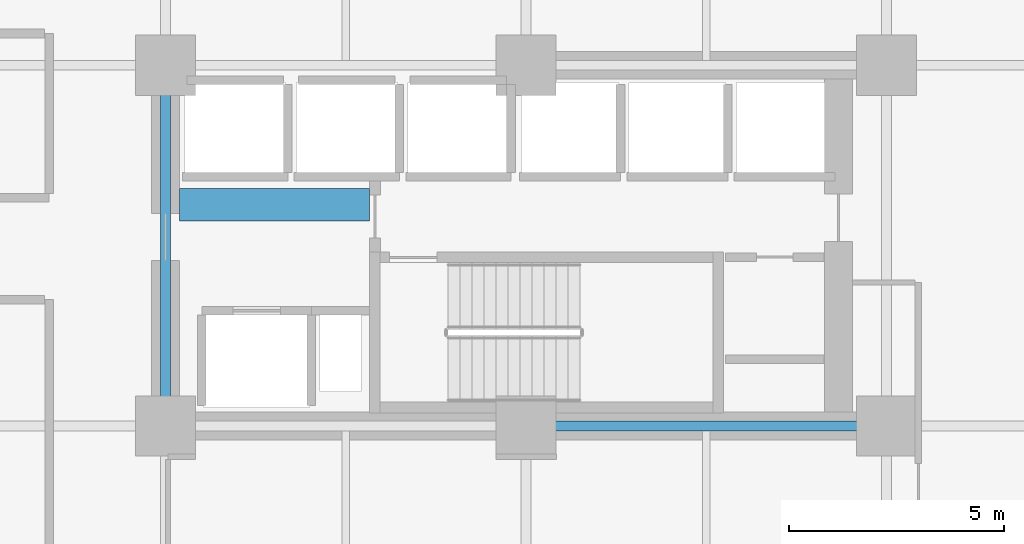
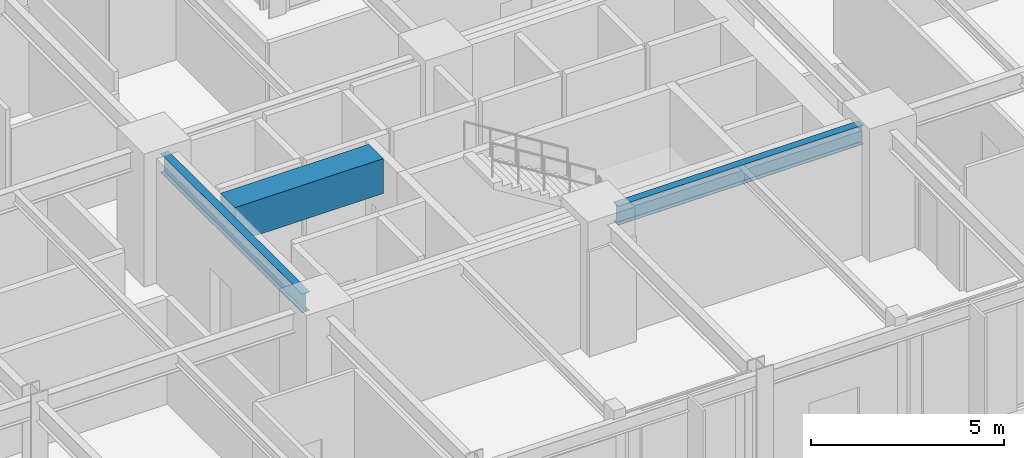
# One storey, part 7 of 30: 3 beams.
"""IFC4 building model written with IfcOpenShell, lengths in metres."""

from ifc_helpers import new_model, si_unit, direction, frame, origin, origin_2d, place, context, subcontext, project, spatial, rectangle, i_section, extrude, material, material_profile, profile_set, type_object, element, save


model = new_model("IFC4")

# Units and contexts
model_context = context("Model", 3, precision=1e-05, world=origin(), true_north=direction((0.0, 1.0)))
body_context = subcontext(model_context, "Body", "Model", "MODEL_VIEW")
ifc_project = project(units=[si_unit("LENGTHUNIT", "METRE"), si_unit("AREAUNIT", "SQUARE_METRE"), si_unit("VOLUMEUNIT", "CUBIC_METRE"), si_unit("PLANEANGLEUNIT", "RADIAN"), si_unit("MASSUNIT", "GRAM", prefix="KILO")], contexts=[model_context])

# Site, building, storey
site_placement = place(None, origin())
site = spatial("IfcSite", under=ifc_project, at=site_placement, CompositionType="ELEMENT")
building_placement = place(site_placement, origin())
building = spatial("IfcBuilding", under=site, at=building_placement, Name="Nerrivon Quay Data Exchange", CompositionType="ELEMENT")
storey_placement = place(building_placement, frame((0.0, 0.0, 62.60009765625)))
storey = spatial("IfcBuildingStorey", under=building, at=storey_placement, Name="L14", CompositionType="ELEMENT", Elevation=62.60009765625)

# Beams
ifc_material_1 = material(Name="Concrete S65 (65 MPa)", Category="concrete")
ifc_material_profile_1 = material_profile(ifc_material_1, rectangle(XDim=0.75, YDim=1.10009765625, at=origin_2d()), Name="RC-CB-750x1100")
ifc_profile_set_1 = profile_set([ifc_material_profile_1], Name="Concrete S65 (65 MPa)")
beam_type_1 = type_object("IfcBeamType", Name="BM-CB1-750x1100", PredefinedType="LINTEL", material=ifc_profile_set_1)
beam_1_placement = place(storey_placement, frame((17.125, 13.550048828125, 3.375), z_axis=(1.0, 0.0, 0.0), x_axis=(0.0, 1.0, 0.0)))
element("IfcBeam", 1, at=beam_1_placement, inside=storey, type_object=beam_type_1, Name="L14 East Core Coupling Beam", PredefinedType="LINTEL", context=body_context, shape_type="SweptSolid", body=[
    extrude(rectangle(XDim=0.75, YDim=1.10009765625, at=origin_2d()), origin(), (0.0, 0.0, 1.0), 4.429931640625),
])
ifc_material_2 = material(Name="Steel Grade 350", Category="steel")
ifc_material_profile_2 = material_profile(ifc_material_2, i_section(OverallWidth=0.22900390625, OverallDepth=0.612060546875, WebThickness=0.011962890625, FlangeThickness=0.01953125, FilletRadius=0.013916015625, at=origin_2d()), Name="610UB125")
ifc_profile_set_2 = profile_set([ifc_material_profile_2], Name="Steel Grade 350")
beam_type_2 = type_object("IfcBeamType", Name="BM-G1-610UB125", PredefinedType="BEAM", material=ifc_profile_set_2)
beam_2_placement = place(storey_placement, frame((25.739990234375, 8.39990234375, 3.618896484375), z_axis=(1.0, 0.0, 0.0), x_axis=(0.0, 1.0, 0.0)))
element("IfcBeam", 2, at=beam_2_placement, inside=storey, type_object=beam_type_2, Name="L14 EW Girder Y=8.4 (25.2..33.6)", PredefinedType="BEAM", context=body_context, shape_type="SweptSolid", body=[
    extrude(i_section(OverallWidth=0.22900390625, OverallDepth=0.612060546875, WebThickness=0.011962890625, FlangeThickness=0.01953125, FilletRadius=0.013916015625, at=origin_2d()), origin(), (0.0, 0.0, 1.0), 7.320068359375),
])
ifc_material_profile_3 = material_profile(ifc_material_2, i_section(OverallWidth=0.22802734375, OverallDepth=0.60205078125, WebThickness=0.010498046875, FlangeThickness=0.014892578125, FilletRadius=0.013916015625, at=origin_2d()), Name="610UB101")
ifc_profile_set_3 = profile_set([ifc_material_profile_3], Name="Steel Grade 350")
beam_type_3 = type_object("IfcBeamType", Name="BM-G2-610UB101", PredefinedType="BEAM", material=ifc_profile_set_3)
beam_3_placement = place(storey_placement, frame((16.800048828125, 8.93994140625, 3.6240234375), z_axis=(0.0, 1.0, 0.0), x_axis=(-1.0, 0.0, 0.0)))
element("IfcBeam", 3, at=beam_3_placement, inside=storey, type_object=beam_type_3, Name="L14 NS Girder X=16.8 (8.4..16.8)", PredefinedType="BEAM", context=body_context, shape_type="SweptSolid", body=[
    extrude(i_section(OverallWidth=0.22802734375, OverallDepth=0.60205078125, WebThickness=0.010498046875, FlangeThickness=0.014892578125, FilletRadius=0.013916015625, at=origin_2d()), origin(), (0.0, 0.0, 1.0), 7.320068359375),
])

save(model, "model.ifc")
